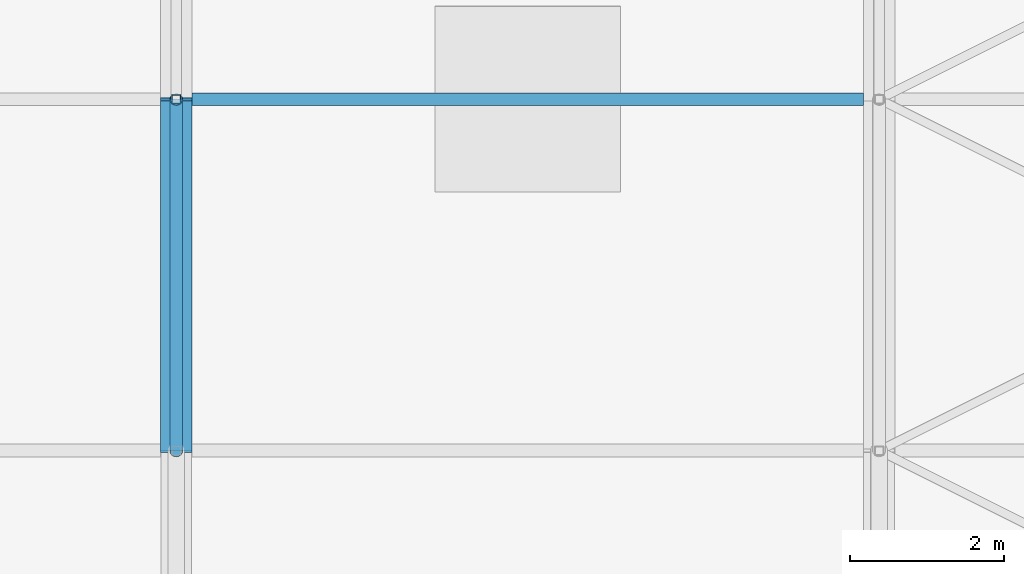
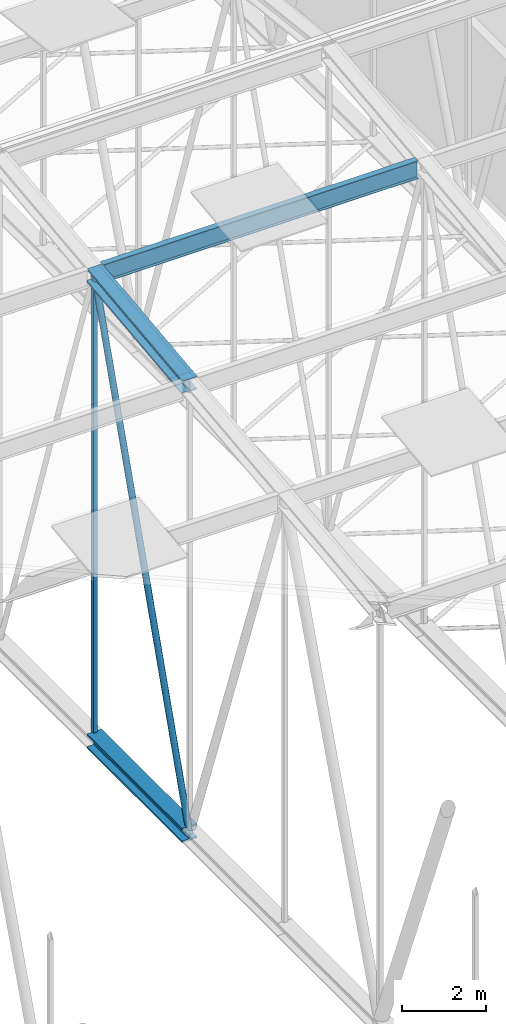
# One storey, part 144 of 500: 5 members.
"""IFC4 building model written with IfcOpenShell, lengths in metres."""

from ifc_helpers import new_model, si_unit, direction, frame, origin, origin_2d, place, context, subcontext, project, spatial, hollow_rectangle, hollow_circle, i_section, extrude, material, material_profile, profile_set, type_object, element, save


model = new_model("IFC4")

# Units and contexts
model_context = context("Model", 3, precision=1e-05, world=origin(), true_north=direction((0.0, 1.0)))
body_context = subcontext(model_context, "Body", "Model", "MODEL_VIEW")
ifc_project = project(units=[si_unit("LENGTHUNIT", "METRE"), si_unit("AREAUNIT", "SQUARE_METRE"), si_unit("VOLUMEUNIT", "CUBIC_METRE"), si_unit("PLANEANGLEUNIT", "RADIAN"), si_unit("MASSUNIT", "GRAM", prefix="KILO")], contexts=[model_context])

# Site, building, storey
site_placement = place(None, origin())
site = spatial("IfcSite", under=ifc_project, at=site_placement, CompositionType="ELEMENT")
building_placement = place(site_placement, origin())
building = spatial("IfcBuilding", under=site, at=building_placement, Name="Shirokan Park Arena", CompositionType="ELEMENT")
storey_placement = place(building_placement, frame((0.0, 0.0, 29.1201171875)))
storey = spatial("IfcBuildingStorey", under=building, at=storey_placement, Name="L06", CompositionType="ELEMENT", Elevation=29.1201171875)

# Members
ifc_material_1 = material(Name="Steel ASTM A992", Category="steel")
ifc_material_profile_1 = material_profile(ifc_material_1, i_section(OverallWidth=0.406005859375, OverallDepth=0.4169921875, WebThickness=0.030029296875, FlangeThickness=0.048095703125, at=origin_2d()), Name="W360X382")
ifc_profile_set_1 = profile_set([ifc_material_profile_1], Name="Steel ASTM A992")
member_type_1 = type_object("IfcMemberType", Name="Bottom chord W360X382", PredefinedType="CHORD", material=ifc_profile_set_1)
member_1_placement = place(storey_placement, frame((81.89990234375, 45.5, 4.677001953125), z_axis=(0.0, 1.0, 0.0), x_axis=(-1.0, 0.0, 0.0)))
element("IfcMember", 1, at=member_1_placement, inside=storey, type_object=member_type_1, Name="Truss T10 bottom chord 13", PredefinedType="CHORD", context=body_context, shape_type="SweptSolid", body=[
    extrude(i_section(OverallWidth=0.406005859375, OverallDepth=0.4169921875, WebThickness=0.030029296875, FlangeThickness=0.048095703125, at=origin_2d()), origin(), (0.0, 0.0, 1.0), 4.550048828125),
])
ifc_material_profile_2 = material_profile(ifc_material_1, i_section(OverallWidth=0.166015625, OverallDepth=0.528076171875, WebThickness=0.009765625, FlangeThickness=0.013671875, at=origin_2d()), Name="W530X74")
ifc_profile_set_2 = profile_set([ifc_material_profile_2], Name="Steel ASTM A992")
member_type_2 = type_object("IfcMemberType", Name="Purlin W530X74", PredefinedType="PURLIN", material=ifc_profile_set_2)
member_2_placement = place(storey_placement, frame((82.10302734375, 50.050048828125, 18.205810546875), z_axis=(1.0, 0.0, 0.0), x_axis=(0.0, 1.0, 0.0)))
element("IfcMember", 2, at=member_2_placement, inside=storey, type_object=member_type_2, Name="Purlin 14 bay 10", PredefinedType="PURLIN", context=body_context, shape_type="SweptSolid", body=[
    extrude(i_section(OverallWidth=0.166015625, OverallDepth=0.528076171875, WebThickness=0.009765625, FlangeThickness=0.013671875, at=origin_2d()), origin(), (0.0, 0.0, 1.0), 8.694091796875),
])
ifc_material_profile_3 = material_profile(ifc_material_1, i_section(OverallWidth=0.406005859375, OverallDepth=0.4169921875, WebThickness=0.030029296875, FlangeThickness=0.048095703125, at=origin_2d()), Name="W360X382")
ifc_profile_set_3 = profile_set([ifc_material_profile_3], Name="Steel ASTM A992")
member_type_3 = type_object("IfcMemberType", Name="Top chord W360X382", PredefinedType="CHORD", material=ifc_profile_set_3)
member_3_placement = place(storey_placement, frame((81.89990234375, 45.5, 17.741455078125), z_axis=(0.0, 0.993532328996, 0.113549598152), x_axis=(-1.0, 0.0, 0.0)))
element("IfcMember", 3, at=member_3_placement, inside=storey, type_object=member_type_3, Name="Truss T10 top chord 13", PredefinedType="CHORD", context=body_context, shape_type="SweptSolid", body=[
    extrude(i_section(OverallWidth=0.406005859375, OverallDepth=0.4169921875, WebThickness=0.030029296875, FlangeThickness=0.048095703125, at=origin_2d()), origin(), (0.0, 0.0, 1.0), 4.57958984375),
])
ifc_material_2 = material(Name="Steel ASTM A500 Grade C", Category="steel")
ifc_material_profile_4 = material_profile(ifc_material_2, hollow_circle(Radius=0.083984375, WallThickness=0.009521484375, at=origin_2d()), Name="HSS168.3X9.5")
ifc_profile_set_4 = profile_set([ifc_material_profile_4], Name="Steel ASTM A500 Grade C")
member_type_4 = type_object("IfcMemberType", Name="Truss diagonal HSS168.3X9.5", PredefinedType="BRACE", material=ifc_profile_set_4)
member_4_placement = place(storey_placement, frame((81.89990234375, 45.5, 4.677001953125), z_axis=(0.0, 0.317602683872, 0.948223884532), x_axis=(-1.0, 0.0, 0.0)))
element("IfcMember", 4, at=member_4_placement, inside=storey, type_object=member_type_4, Name="Truss T10 diagonal 13", PredefinedType="BRACE", context=body_context, shape_type="SweptSolid", body=[
    extrude(hollow_circle(Radius=0.083984375, WallThickness=0.009521484375, at=origin_2d()), origin(), (0.0, 0.0, 1.0), 14.326171875),
])
ifc_material_profile_5 = material_profile(ifc_material_2, hollow_rectangle(XDim=0.114013671875, YDim=0.114013671875, WallThickness=0.00634765625, at=origin_2d()), Name="HSS114.3X114.3X6.4")
ifc_profile_set_5 = profile_set([ifc_material_profile_5], Name="Steel ASTM A500 Grade C")
member_type_5 = type_object("IfcMemberType", Name="Truss post HSS114.3X114.3X6.4", PredefinedType="POST", material=ifc_profile_set_5)
member_5_placement = place(storey_placement, frame((81.89990234375, 50.050048828125, 4.677001953125), z_axis=(0.0, 0.0, 1.0), x_axis=(1.0, 0.0, 0.0)))
element("IfcMember", 5, at=member_5_placement, inside=storey, type_object=member_type_5, Name="Truss T10 post 14", PredefinedType="POST", context=body_context, shape_type="SweptSolid", body=[
    extrude(hollow_rectangle(XDim=0.114013671875, YDim=0.114013671875, WallThickness=0.00634765625, at=origin_2d()), origin(), (0.0, 0.0, 1.0), 13.58447265625),
])

save(model, "model.ifc")
